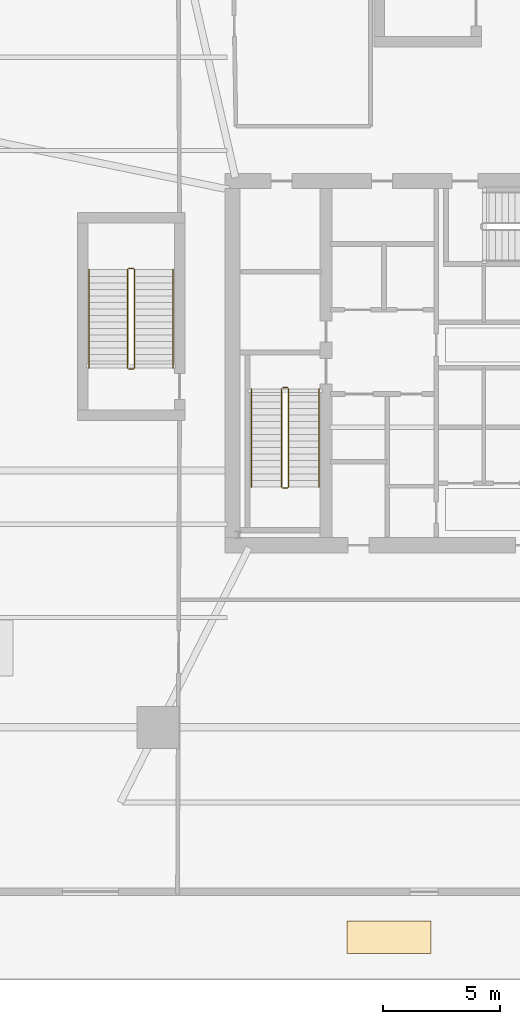
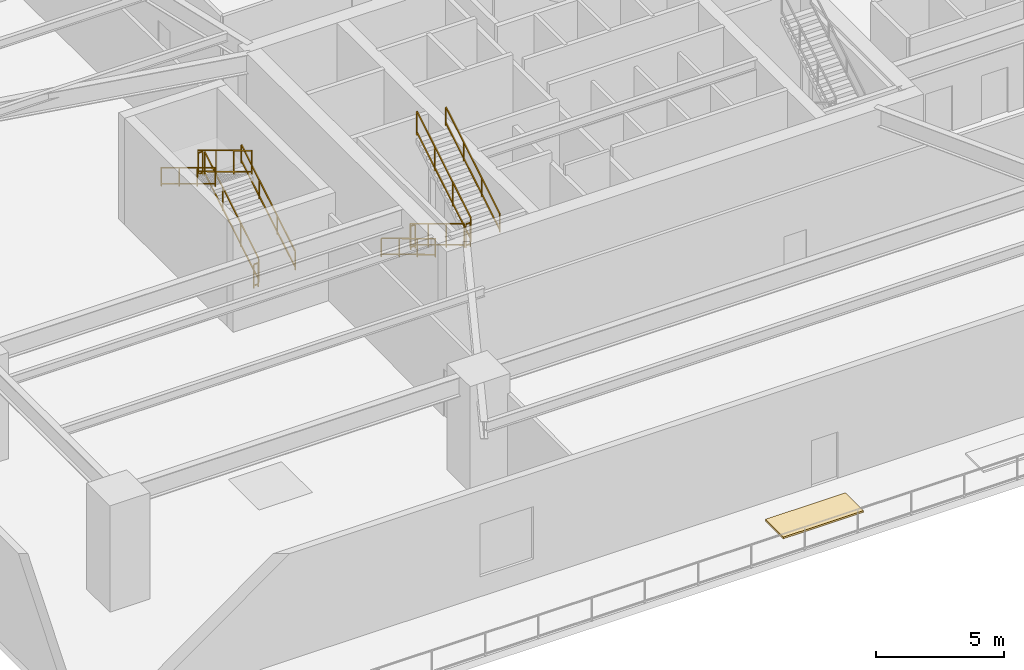
# One storey, part 8 of 11: 12 railings, 1 covering.
"""IFC4 building model written with IfcOpenShell, lengths in metres."""

from ifc_helpers import new_model, si_unit, direction, frame, origin, origin_2d, place, context, subcontext, project, spatial, rectangle, extrude, material, layer, layer_set, type_object, element, save


model = new_model("IFC4")

# Units and contexts
model_context = context("Model", 3, precision=1e-05, world=origin(), true_north=direction((0.0, 1.0)))
body_context = subcontext(model_context, "Body", "Model", "MODEL_VIEW")
ifc_project = project(units=[si_unit("LENGTHUNIT", "METRE"), si_unit("AREAUNIT", "SQUARE_METRE"), si_unit("VOLUMEUNIT", "CUBIC_METRE"), si_unit("PLANEANGLEUNIT", "RADIAN"), si_unit("MASSUNIT", "GRAM", prefix="KILO")], contexts=[model_context])

# Site, building, storey
site_placement = place(None, origin())
site = spatial("IfcSite", under=ifc_project, at=site_placement, CompositionType="ELEMENT")
building_placement = place(site_placement, origin())
building = spatial("IfcBuilding", under=site, at=building_placement, Name="Qarnah Convention Tower", CompositionType="ELEMENT")
storey_placement = place(building_placement, frame((0.0, 0.0, 5.39990234375)))
storey = spatial("IfcBuildingStorey", under=building, at=storey_placement, Name="L01", CompositionType="ELEMENT", Elevation=5.39990234375)

# Covering
ifc_material_1 = material(Name="Bituminous roof membrane", Category="concrete")
ifc_layer = layer(ifc_material_1, 0.080078125)
ifc_layer_set = layer_set([ifc_layer], Name="Bituminous roof membrane")
covering_type = type_object("IfcCoveringType", Name="COV-ROOF-80", PredefinedType="ROOFING", material=ifc_layer_set)
covering_placement = place(storey_placement, frame((33.5, 1.802001953125, 0.0), z_axis=(0.0, 0.0, 1.0), x_axis=(1.0, 0.0, 0.0)))
element("IfcCovering", 1, at=covering_placement, inside=storey, type_object=covering_type, Name="L01 podium terrace roof membrane panel 1", PredefinedType="ROOFING", context=body_context, shape_type="SweptSolid", body=[
    extrude(rectangle(XDim=3.60009765625, YDim=1.39990234375, at=origin_2d()), origin(), (0.0, 0.0, 1.0), 0.080078125),
])

# Railings
ifc_material_2 = material(Name="Structural steel S355JR", Category="steel")
railing_type_1 = type_object("IfcRailingType", Name="RL-STAIR-GUARD-1150", PredefinedType="GUARDRAIL", material=ifc_material_2)
railing_1_placement = place(storey_placement, frame((28.89990234375, 25.300048828125, 0.1689453125)))
element("IfcRailing", 2, at=railing_1_placement, inside=storey, type_object=railing_type_1, Name="L01 ST-1 stair guard 1", PredefinedType="GUARDRAIL", context=body_context, shape_type="SweptSolid", body=[
    extrude(rectangle(XDim=0.048095703125, YDim=0.048095703125, at=origin_2d()), frame((0.0, 0.0, 1.1259765625), z_axis=(0.0, -0.856476492594, 0.516186030065), x_axis=(1.0, 0.0, 0.0)), (0.0, 0.0, 1.0), 4.90380859375),
    extrude(rectangle(XDim=0.048095703125, YDim=0.048095703125, at=origin_2d()), frame((0.0, 0.0, 0.1201171875), z_axis=(0.0, -0.856476492594, 0.516186030065), x_axis=(1.0, 0.0, 0.0)), (0.0, 0.0, 1.0), 4.90380859375),
    extrude(rectangle(XDim=0.0419921875, YDim=0.0419921875, at=origin_2d()), origin(), (0.0, 0.0, 1.0), 1.101806640625),
    extrude(rectangle(XDim=0.0419921875, YDim=0.0419921875, at=origin_2d()), frame((0.0, -1.39990234375, 0.84375)), (0.0, 0.0, 1.0), 1.101806640625),
    extrude(rectangle(XDim=0.0419921875, YDim=0.0419921875, at=origin_2d()), frame((0.0, -2.800048828125, 1.6875)), (0.0, 0.0, 1.0), 1.101806640625),
    extrude(rectangle(XDim=0.0419921875, YDim=0.0419921875, at=origin_2d()), frame((0.0, -4.199951171875, 2.53125)), (0.0, 0.0, 1.0), 1.101806640625),
])
railing_2_placement = place(storey_placement, frame((28.949951171875, 21.050048828125, 2.7001953125)))
element("IfcRailing", 3, at=railing_2_placement, inside=storey, type_object=railing_type_1, Name="L01 ST-1 stair guard 2", PredefinedType="GUARDRAIL", context=body_context, shape_type="SweptSolid", body=[
    extrude(rectangle(XDim=0.048095703125, YDim=0.048095703125, at=origin_2d()), frame((0.0, 0.0, 1.1259765625), z_axis=(1.0, 0.0, 0.0), x_axis=(0.0, 1.0, 0.0)), (0.0, 0.0, 1.0), 0.199951171875),
    extrude(rectangle(XDim=0.048095703125, YDim=0.048095703125, at=origin_2d()), frame((0.0, 0.0, 0.1201171875), z_axis=(1.0, 0.0, 0.0), x_axis=(0.0, 1.0, 0.0)), (0.0, 0.0, 1.0), 0.199951171875),
    extrude(rectangle(XDim=0.0419921875, YDim=0.0419921875, at=origin_2d()), origin(), (0.0, 0.0, 1.0), 1.101806640625),
    extrude(rectangle(XDim=0.0419921875, YDim=0.0419921875, at=origin_2d()), frame((0.199951171875, 0.0, 0.0)), (0.0, 0.0, 1.0), 1.101806640625),
])
railing_3_placement = place(storey_placement, frame((29.199951171875, 21.10009765625, 2.868896484375)))
element("IfcRailing", 4, at=railing_3_placement, inside=storey, type_object=railing_type_1, Name="L01 ST-1 stair guard 3", PredefinedType="GUARDRAIL", context=body_context, shape_type="SweptSolid", body=[
    extrude(rectangle(XDim=0.048095703125, YDim=0.048095703125, at=origin_2d()), frame((0.0, 0.0, 1.1259765625), z_axis=(0.0, 0.856476492594, 0.516186030065), x_axis=(-1.0, 0.0, 0.0)), (0.0, 0.0, 1.0), 4.90380859375),
    extrude(rectangle(XDim=0.048095703125, YDim=0.048095703125, at=origin_2d()), frame((0.0, 0.0, 0.1201171875), z_axis=(0.0, 0.856476492594, 0.516186030065), x_axis=(-1.0, 0.0, 0.0)), (0.0, 0.0, 1.0), 4.90380859375),
    extrude(rectangle(XDim=0.0419921875, YDim=0.0419921875, at=origin_2d()), origin(), (0.0, 0.0, 1.0), 1.101806640625),
    extrude(rectangle(XDim=0.0419921875, YDim=0.0419921875, at=origin_2d()), frame((0.0, 1.39990234375, 0.84375)), (0.0, 0.0, 1.0), 1.101806640625),
    extrude(rectangle(XDim=0.0419921875, YDim=0.0419921875, at=origin_2d()), frame((0.0, 2.800048828125, 1.6875)), (0.0, 0.0, 1.0), 1.101806640625),
    extrude(rectangle(XDim=0.0419921875, YDim=0.0419921875, at=origin_2d()), frame((0.0, 4.199951171875, 2.53125)), (0.0, 0.0, 1.0), 1.101806640625),
])
railing_4_placement = place(storey_placement, frame((28.949951171875, 25.35009765625, 0.0)))
element("IfcRailing", 5, at=railing_4_placement, inside=storey, type_object=railing_type_1, Name="L01 ST-1 stair guard 4", PredefinedType="GUARDRAIL", context=body_context, shape_type="SweptSolid", body=[
    extrude(rectangle(XDim=0.048095703125, YDim=0.048095703125, at=origin_2d()), frame((0.0, 0.0, 1.1259765625), z_axis=(1.0, 0.0, 0.0), x_axis=(0.0, 1.0, 0.0)), (0.0, 0.0, 1.0), 0.199951171875),
    extrude(rectangle(XDim=0.048095703125, YDim=0.048095703125, at=origin_2d()), frame((0.0, 0.0, 0.1201171875), z_axis=(1.0, 0.0, 0.0), x_axis=(0.0, 1.0, 0.0)), (0.0, 0.0, 1.0), 0.199951171875),
    extrude(rectangle(XDim=0.0419921875, YDim=0.0419921875, at=origin_2d()), origin(), (0.0, 0.0, 1.0), 1.101806640625),
    extrude(rectangle(XDim=0.0419921875, YDim=0.0419921875, at=origin_2d()), frame((0.199951171875, 0.0, 0.0)), (0.0, 0.0, 1.0), 1.101806640625),
])
railing_5_placement = place(storey_placement, frame((22.60009765625, 26.199951171875, 0.1689453125)))
element("IfcRailing", 6, at=railing_5_placement, inside=storey, type_object=railing_type_1, Name="L01 ST-5 stair guard 1", PredefinedType="GUARDRAIL", context=body_context, shape_type="SweptSolid", body=[
    extrude(rectangle(XDim=0.048095703125, YDim=0.048095703125, at=origin_2d()), frame((0.0, 0.0, 1.1259765625), z_axis=(0.0, 0.856476492594, 0.516186030065), x_axis=(-1.0, 0.0, 0.0)), (0.0, 0.0, 1.0), 4.90380859375),
    extrude(rectangle(XDim=0.048095703125, YDim=0.048095703125, at=origin_2d()), frame((0.0, 0.0, 0.1201171875), z_axis=(0.0, 0.856476492594, 0.516186030065), x_axis=(-1.0, 0.0, 0.0)), (0.0, 0.0, 1.0), 4.90380859375),
    extrude(rectangle(XDim=0.0419921875, YDim=0.0419921875, at=origin_2d()), origin(), (0.0, 0.0, 1.0), 1.101806640625),
    extrude(rectangle(XDim=0.0419921875, YDim=0.0419921875, at=origin_2d()), frame((0.0, 1.39990234375, 0.84375)), (0.0, 0.0, 1.0), 1.101806640625),
    extrude(rectangle(XDim=0.0419921875, YDim=0.0419921875, at=origin_2d()), frame((0.0, 2.800048828125, 1.6875)), (0.0, 0.0, 1.0), 1.101806640625),
    extrude(rectangle(XDim=0.0419921875, YDim=0.0419921875, at=origin_2d()), frame((0.0, 4.199951171875, 2.53125)), (0.0, 0.0, 1.0), 1.101806640625),
])
railing_6_placement = place(storey_placement, frame((22.550048828125, 30.449951171875, 2.7001953125)))
element("IfcRailing", 7, at=railing_6_placement, inside=storey, type_object=railing_type_1, Name="L01 ST-5 stair guard 2", PredefinedType="GUARDRAIL", context=body_context, shape_type="SweptSolid", body=[
    extrude(rectangle(XDim=0.048095703125, YDim=0.048095703125, at=origin_2d()), frame((0.0, 0.0, 1.1259765625), z_axis=(-1.0, 0.0, 0.0), x_axis=(0.0, -1.0, 0.0)), (0.0, 0.0, 1.0), 0.199951171875),
    extrude(rectangle(XDim=0.048095703125, YDim=0.048095703125, at=origin_2d()), frame((0.0, 0.0, 0.1201171875), z_axis=(-1.0, 0.0, 0.0), x_axis=(0.0, -1.0, 0.0)), (0.0, 0.0, 1.0), 0.199951171875),
    extrude(rectangle(XDim=0.0419921875, YDim=0.0419921875, at=origin_2d()), origin(), (0.0, 0.0, 1.0), 1.101806640625),
    extrude(rectangle(XDim=0.0419921875, YDim=0.0419921875, at=origin_2d()), frame((-0.199951171875, 0.0, 0.0)), (0.0, 0.0, 1.0), 1.101806640625),
])
railing_7_placement = place(storey_placement, frame((22.300048828125, 30.39990234375, 2.868896484375)))
element("IfcRailing", 8, at=railing_7_placement, inside=storey, type_object=railing_type_1, Name="L01 ST-5 stair guard 3", PredefinedType="GUARDRAIL", context=body_context, shape_type="SweptSolid", body=[
    extrude(rectangle(XDim=0.048095703125, YDim=0.048095703125, at=origin_2d()), frame((0.0, 0.0, 1.1259765625), z_axis=(0.0, -0.856476492594, 0.516186030065), x_axis=(1.0, 0.0, 0.0)), (0.0, 0.0, 1.0), 4.90380859375),
    extrude(rectangle(XDim=0.048095703125, YDim=0.048095703125, at=origin_2d()), frame((0.0, 0.0, 0.1201171875), z_axis=(0.0, -0.856476492594, 0.516186030065), x_axis=(1.0, 0.0, 0.0)), (0.0, 0.0, 1.0), 4.90380859375),
    extrude(rectangle(XDim=0.0419921875, YDim=0.0419921875, at=origin_2d()), origin(), (0.0, 0.0, 1.0), 1.101806640625),
    extrude(rectangle(XDim=0.0419921875, YDim=0.0419921875, at=origin_2d()), frame((0.0, -1.39990234375, 0.84375)), (0.0, 0.0, 1.0), 1.101806640625),
    extrude(rectangle(XDim=0.0419921875, YDim=0.0419921875, at=origin_2d()), frame((0.0, -2.800048828125, 1.6875)), (0.0, 0.0, 1.0), 1.101806640625),
    extrude(rectangle(XDim=0.0419921875, YDim=0.0419921875, at=origin_2d()), frame((0.0, -4.199951171875, 2.53125)), (0.0, 0.0, 1.0), 1.101806640625),
])
railing_8_placement = place(storey_placement, frame((22.550048828125, 26.14990234375, 0.0)))
element("IfcRailing", 9, at=railing_8_placement, inside=storey, type_object=railing_type_1, Name="L01 ST-5 stair guard 4", PredefinedType="GUARDRAIL", context=body_context, shape_type="SweptSolid", body=[
    extrude(rectangle(XDim=0.048095703125, YDim=0.048095703125, at=origin_2d()), frame((0.0, 0.0, 1.1259765625), z_axis=(-1.0, 0.0, 0.0), x_axis=(0.0, -1.0, 0.0)), (0.0, 0.0, 1.0), 0.199951171875),
    extrude(rectangle(XDim=0.048095703125, YDim=0.048095703125, at=origin_2d()), frame((0.0, 0.0, 0.1201171875), z_axis=(-1.0, 0.0, 0.0), x_axis=(0.0, -1.0, 0.0)), (0.0, 0.0, 1.0), 0.199951171875),
    extrude(rectangle(XDim=0.0419921875, YDim=0.0419921875, at=origin_2d()), origin(), (0.0, 0.0, 1.0), 1.101806640625),
    extrude(rectangle(XDim=0.0419921875, YDim=0.0419921875, at=origin_2d()), frame((-0.199951171875, 0.0, 0.0)), (0.0, 0.0, 1.0), 1.101806640625),
])
railing_type_2 = type_object("IfcRailingType", Name="RL-STAIR-HAND-900", PredefinedType="HANDRAIL", material=ifc_material_2)
railing_9_placement = place(storey_placement, frame((27.60009765625, 25.300048828125, 0.1689453125)))
element("IfcRailing", 10, at=railing_9_placement, inside=storey, type_object=railing_type_2, Name="L01 ST-1 stair handrail 1", PredefinedType="HANDRAIL", context=body_context, shape_type="SweptSolid", body=[
    extrude(rectangle(XDim=0.048095703125, YDim=0.048095703125, at=origin_2d()), frame((0.0, 0.0, 0.8759765625), z_axis=(0.0, -0.856476492594, 0.516186030065), x_axis=(1.0, 0.0, 0.0)), (0.0, 0.0, 1.0), 4.90380859375),
    extrude(rectangle(XDim=0.048095703125, YDim=0.048095703125, at=origin_2d()), frame((0.0, 0.0, 0.1201171875), z_axis=(0.0, -0.856476492594, 0.516186030065), x_axis=(1.0, 0.0, 0.0)), (0.0, 0.0, 1.0), 4.90380859375),
    extrude(rectangle(XDim=0.0419921875, YDim=0.0419921875, at=origin_2d()), origin(), (0.0, 0.0, 1.0), 0.851806640625),
    extrude(rectangle(XDim=0.0419921875, YDim=0.0419921875, at=origin_2d()), frame((0.0, -1.39990234375, 0.84375)), (0.0, 0.0, 1.0), 0.851806640625),
    extrude(rectangle(XDim=0.0419921875, YDim=0.0419921875, at=origin_2d()), frame((0.0, -2.800048828125, 1.6875)), (0.0, 0.0, 1.0), 0.851806640625),
    extrude(rectangle(XDim=0.0419921875, YDim=0.0419921875, at=origin_2d()), frame((0.0, -4.199951171875, 2.53125)), (0.0, 0.0, 1.0), 0.851806640625),
])
for number, where, name in (
    (11, (30.5, 21.10009765625, 2.868896484375), "L01 ST-1 stair handrail 2"),
    (12, (24.25, 26.199951171875, 0.1689453125), "L01 ST-5 stair handrail 1"),
):
    element("IfcRailing", number, at=place(storey_placement, frame(where)), inside=storey, type_object=railing_type_2, Name=name, PredefinedType="HANDRAIL", context=body_context, shape_type="SweptSolid", body=[
        extrude(rectangle(XDim=0.048095703125, YDim=0.048095703125, at=origin_2d()), frame((0.0, 0.0, 0.8759765625), z_axis=(0.0, 0.856476492594, 0.516186030065), x_axis=(-1.0, 0.0, 0.0)), (0.0, 0.0, 1.0), 4.90380859375),
        extrude(rectangle(XDim=0.048095703125, YDim=0.048095703125, at=origin_2d()), frame((0.0, 0.0, 0.1201171875), z_axis=(0.0, 0.856476492594, 0.516186030065), x_axis=(-1.0, 0.0, 0.0)), (0.0, 0.0, 1.0), 4.90380859375),
        extrude(rectangle(XDim=0.0419921875, YDim=0.0419921875, at=origin_2d()), origin(), (0.0, 0.0, 1.0), 0.851806640625),
        extrude(rectangle(XDim=0.0419921875, YDim=0.0419921875, at=origin_2d()), frame((0.0, 1.39990234375, 0.84375)), (0.0, 0.0, 1.0), 0.851806640625),
        extrude(rectangle(XDim=0.0419921875, YDim=0.0419921875, at=origin_2d()), frame((0.0, 2.800048828125, 1.6875)), (0.0, 0.0, 1.0), 0.851806640625),
        extrude(rectangle(XDim=0.0419921875, YDim=0.0419921875, at=origin_2d()), frame((0.0, 4.199951171875, 2.53125)), (0.0, 0.0, 1.0), 0.851806640625),
    ])
railing_10_placement = place(storey_placement, frame((20.64990234375, 30.39990234375, 2.868896484375)))
element("IfcRailing", 13, at=railing_10_placement, inside=storey, type_object=railing_type_2, Name="L01 ST-5 stair handrail 2", PredefinedType="HANDRAIL", context=body_context, shape_type="SweptSolid", body=[
    extrude(rectangle(XDim=0.048095703125, YDim=0.048095703125, at=origin_2d()), frame((0.0, 0.0, 0.8759765625), z_axis=(0.0, -0.856476492594, 0.516186030065), x_axis=(1.0, 0.0, 0.0)), (0.0, 0.0, 1.0), 4.90380859375),
    extrude(rectangle(XDim=0.048095703125, YDim=0.048095703125, at=origin_2d()), frame((0.0, 0.0, 0.1201171875), z_axis=(0.0, -0.856476492594, 0.516186030065), x_axis=(1.0, 0.0, 0.0)), (0.0, 0.0, 1.0), 4.90380859375),
    extrude(rectangle(XDim=0.0419921875, YDim=0.0419921875, at=origin_2d()), origin(), (0.0, 0.0, 1.0), 0.851806640625),
    extrude(rectangle(XDim=0.0419921875, YDim=0.0419921875, at=origin_2d()), frame((0.0, -1.39990234375, 0.84375)), (0.0, 0.0, 1.0), 0.851806640625),
    extrude(rectangle(XDim=0.0419921875, YDim=0.0419921875, at=origin_2d()), frame((0.0, -2.800048828125, 1.6875)), (0.0, 0.0, 1.0), 0.851806640625),
    extrude(rectangle(XDim=0.0419921875, YDim=0.0419921875, at=origin_2d()), frame((0.0, -4.199951171875, 2.53125)), (0.0, 0.0, 1.0), 0.851806640625),
])

save(model, "model.ifc")
